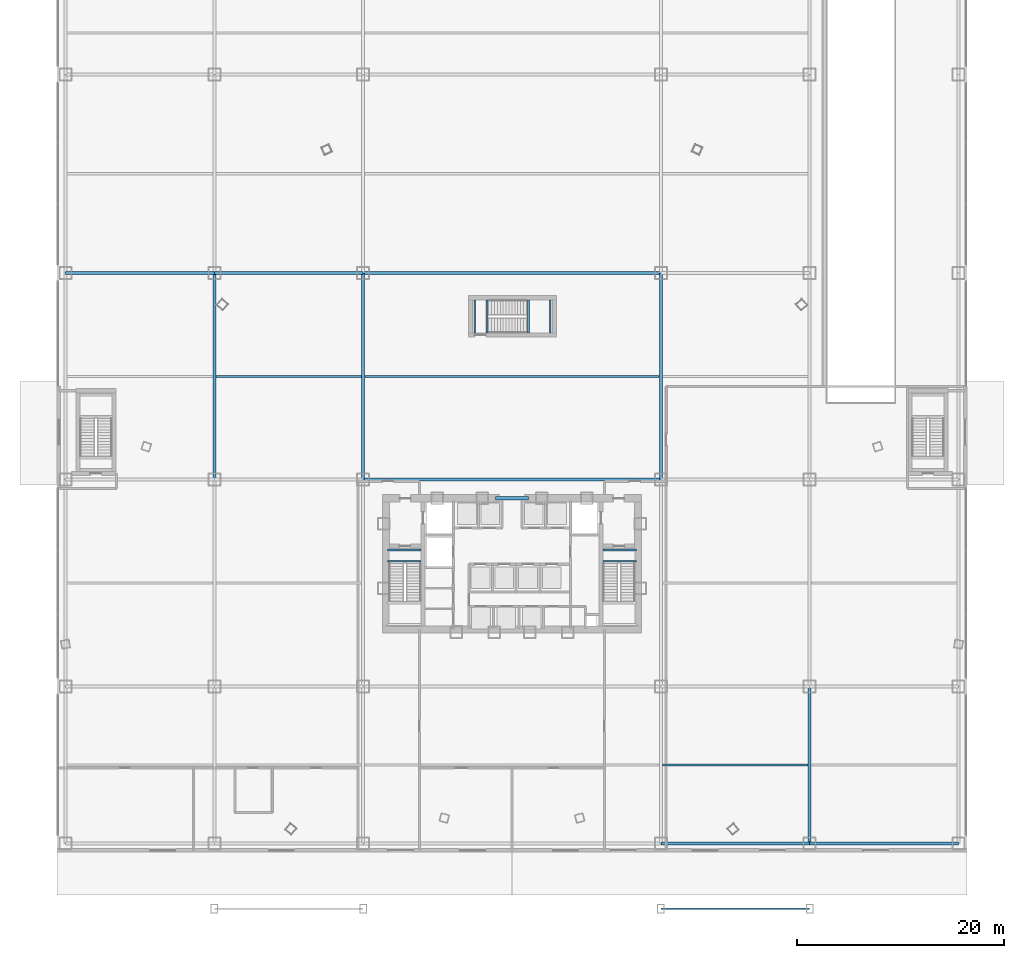
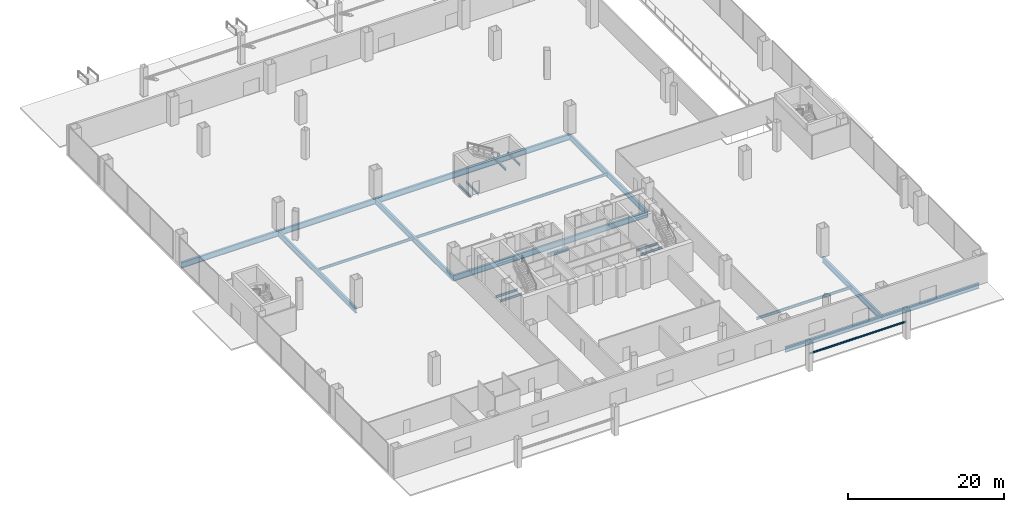
# One storey, part 16 of 58: 23 beams.
"""IFC4 building model written with IfcOpenShell, lengths in metres."""

from ifc_helpers import new_model, si_unit, direction, frame, origin, origin_2d, place, context, subcontext, project, spatial, i_section, extrude, source, transform, mapped, material, material_profile, profile_set, type_object, element, save


model = new_model("IFC4")

# Units and contexts
model_context = context("Model", 3, precision=1e-05, world=origin(), true_north=direction((0.0, 1.0)))
body_context = subcontext(model_context, "Body", "Model", "MODEL_VIEW")
ifc_project = project(units=[si_unit("LENGTHUNIT", "METRE"), si_unit("AREAUNIT", "SQUARE_METRE"), si_unit("VOLUMEUNIT", "CUBIC_METRE"), si_unit("PLANEANGLEUNIT", "RADIAN"), si_unit("MASSUNIT", "GRAM", prefix="KILO"), si_unit("THERMODYNAMICTEMPERATUREUNIT", "KELVIN"), si_unit("POWERUNIT", "WATT")], contexts=[model_context])

# Site, building, storey
site_placement = place(None, origin())
site = spatial("IfcSite", under=ifc_project, at=site_placement, CompositionType="ELEMENT")
building_placement = place(site_placement, origin())
building = spatial("IfcBuilding", under=site, at=building_placement, Name="Yunzhuo Pagoda Commons", CompositionType="ELEMENT")
storey_placement = place(building_placement, origin())
storey = spatial("IfcBuildingStorey", under=building, at=storey_placement, Name="L01", CompositionType="ELEMENT", Elevation=0.0)

# Beams
ifc_material_1 = material(Name="Structural steel Q355B", Category="steel")
ifc_material_profile_1 = material_profile(ifc_material_1, i_section(OverallWidth=0.175048828125, OverallDepth=0.35009765625, WebThickness=0.007080078125, FlangeThickness=0.010986328125, at=origin_2d()), Name="Structural steel Q355B")
ifc_profile_set_1 = profile_set([ifc_material_profile_1], Name="Structural steel Q355B")
beam_type_1 = type_object("IfcBeamType", Name="B-JS2 Joist HN 350x175x7x11", PredefinedType="JOIST", material=ifc_profile_set_1)
shared_shape_1 = source(origin(), body_context, "Body", "SweptSolid", [
    extrude(i_section(OverallWidth=0.175048828125, OverallDepth=0.35009765625, WebThickness=0.007080078125, FlangeThickness=0.010986328125, at=origin_2d()), origin(), (0.0, 0.0, 1.0), 3.25),
])
for number, where, z_axis, x_axis, name in (
    (1, (35.949951171875, 34.10009765625, -0.375), (1.0, 0.0, 0.0), (0.0, 1.0, 0.0), "L01 ST1 landing support beam 105A"),
    (2, (35.949951171875, 35.199951171875, -0.375), (1.0, 0.0, 0.0), (0.0, 1.0, 0.0), "L01 ST1 landing support beam 105B"),
    (3, (56.800048828125, 34.10009765625, -0.375), (1.0, 0.0, 0.0), (0.0, 1.0, 0.0), "L01 ST2 landing support beam 105A"),
    (4, (56.800048828125, 35.199951171875, -0.375), (1.0, 0.0, 0.0), (0.0, 1.0, 0.0), "L01 ST2 landing support beam 105B"),
):
    element("IfcBeam", number, at=place(storey_placement, frame(where, z_axis=z_axis, x_axis=x_axis)), inside=storey, type_object=beam_type_1, Name=name, PredefinedType="JOIST", context=body_context, shape_type="MappedRepresentation", body=[
        mapped(shared_shape_1, transform((0.0, 0.0, 0.0), scale=1.0)),
    ])
shared_shape_2 = source(origin(), body_context, "Body", "SweptSolid", [
    extrude(i_section(OverallWidth=0.175048828125, OverallDepth=0.35009765625, WebThickness=0.007080078125, FlangeThickness=0.010986328125, at=origin_2d()), origin(), (0.0, 0.0, 1.0), 3.199951171875),
])
for number, where, z_axis, x_axis, name in (
    (5, (49.590087890625, 56.199951171875, 2.02490234375), (0.0, 1.0, 0.0), (-1.0, 0.0, 0.0), "L01 ST3 landing support beam 3A"),
    (6, (51.699951171875, 56.199951171875, 2.02490234375), (0.0, 1.0, 0.0), (-1.0, 0.0, 0.0), "L01 ST3 landing support beam 3B"),
    (7, (44.39990234375, 56.199951171875, -0.375), (0.0, 1.0, 0.0), (-1.0, 0.0, 0.0), "L01 ST3 landing support beam 75A"),
    (8, (45.550048828125, 56.199951171875, -0.375), (0.0, 1.0, 0.0), (-1.0, 0.0, 0.0), "L01 ST3 landing support beam 75B"),
):
    element("IfcBeam", number, at=place(storey_placement, frame(where, z_axis=z_axis, x_axis=x_axis)), inside=storey, type_object=beam_type_1, Name=name, PredefinedType="JOIST", context=body_context, shape_type="MappedRepresentation", body=[
        mapped(shared_shape_2, transform((0.0, 0.0, 0.0), scale=1.0)),
    ])
ifc_material_2 = material(Name="Structural steel Q420B", Category="steel")
ifc_material_profile_2 = material_profile(ifc_material_2, i_section(OverallWidth=0.300048828125, OverallDepth=0.587890625, WebThickness=0.011962890625, FlangeThickness=0.02001953125, at=origin_2d()), Name="Structural steel Q420B")
ifc_profile_set_2 = profile_set([ifc_material_profile_2], Name="Structural steel Q420B")
beam_type_2 = type_object("IfcBeamType", Name="B-CPL Beam HM 588x300x12x20", PredefinedType="BEAM", material=ifc_profile_set_2)
shared_shape_3 = source(origin(), body_context, "Body", "SweptSolid", [
    extrude(i_section(OverallWidth=0.300048828125, OverallDepth=0.587890625, WebThickness=0.011962890625, FlangeThickness=0.02001953125, at=origin_2d()), origin(), (0.0, 0.0, 1.0), 3.2001953125),
])
beam_1_placement = place(storey_placement, frame((46.39990234375, 40.199951171875, -0.573974609375), z_axis=(1.0, 0.0, 0.0), x_axis=(0.0, 1.0, 0.0)))
element("IfcBeam", 9, at=beam_1_placement, inside=storey, type_object=beam_type_2, Name="L01 core coupling girder", PredefinedType="BEAM", context=body_context, shape_type="MappedRepresentation", body=[
    mapped(shared_shape_3, transform((0.0, 0.0, 0.0), scale=1.0)),
])
ifc_material_profile_3 = material_profile(ifc_material_1, i_section(OverallWidth=0.300048828125, OverallDepth=0.800048828125, WebThickness=0.013916015625, FlangeThickness=0.02587890625, at=origin_2d()), Name="Structural steel Q355B")
ifc_profile_set_3 = profile_set([ifc_material_profile_3], Name="Structural steel Q355B")
beam_type_3 = type_object("IfcBeamType", Name="B-PD2 Beam HN 800x300x14x26", PredefinedType="BEAM", material=ifc_profile_set_3)
shared_shape_4 = source(origin(), body_context, "Body", "SweptSolid", [
    extrude(i_section(OverallWidth=0.300048828125, OverallDepth=0.800048828125, WebThickness=0.013916015625, FlangeThickness=0.02587890625, at=origin_2d()), origin(), (0.0, 0.0, 1.0), 14.39990234375),
])
beam_2_placement = place(storey_placement, frame((76.800048828125, 6.800048828125, -0.679931640625), z_axis=(1.0, 0.0, 0.0), x_axis=(0.0, 1.0, 0.0)))
element("IfcBeam", 10, at=beam_2_placement, inside=storey, type_object=beam_type_3, Name="L01 podium girder EW 1.5", PredefinedType="BEAM", context=body_context, shape_type="MappedRepresentation", body=[
    mapped(shared_shape_4, transform((0.0, 0.0, 0.0), scale=1.0)),
])
shared_shape_5 = source(origin(), body_context, "Body", "SweptSolid", [
    extrude(i_section(OverallWidth=0.300048828125, OverallDepth=0.800048828125, WebThickness=0.013916015625, FlangeThickness=0.02587890625, at=origin_2d()), origin(), (0.0, 0.0, 1.0), 14.400146484375),
])
beam_3_placement = place(storey_placement, frame((62.39990234375, 6.800048828125, -0.679931640625), z_axis=(1.0, 0.0, 0.0), x_axis=(0.0, 1.0, 0.0)))
element("IfcBeam", 11, at=beam_3_placement, inside=storey, type_object=beam_type_3, Name="L01 podium girder EW 1.4", PredefinedType="BEAM", context=body_context, shape_type="MappedRepresentation", body=[
    mapped(shared_shape_5, transform((0.0, 0.0, 0.0), scale=1.0)),
])
ifc_material_profile_4 = material_profile(ifc_material_1, i_section(OverallWidth=0.300048828125, OverallDepth=0.89990234375, WebThickness=0.01611328125, FlangeThickness=0.028076171875, at=origin_2d()), Name="Structural steel Q355B")
ifc_profile_set_4 = profile_set([ifc_material_profile_4], Name="Structural steel Q355B")
beam_type_4 = type_object("IfcBeamType", Name="B-PD1 Beam HN 900x300x16x28", PredefinedType="BEAM", material=ifc_profile_set_4)
shared_shape_6 = source(origin(), body_context, "Body", "SweptSolid", [
    extrude(i_section(OverallWidth=0.300048828125, OverallDepth=0.89990234375, WebThickness=0.01611328125, FlangeThickness=0.028076171875, at=origin_2d()), origin(), (0.0, 0.0, 1.0), 14.39990234375),
])
beam_4_placement = place(storey_placement, frame((4.800048828125, 62.0, -0.729736328125), z_axis=(1.0, 0.0, 0.0), x_axis=(0.0, 1.0, 0.0)))
element("IfcBeam", 12, at=beam_4_placement, inside=storey, type_object=beam_type_4, Name="L01 podium girder EW 4.1", PredefinedType="BEAM", context=body_context, shape_type="MappedRepresentation", body=[
    mapped(shared_shape_6, transform((0.0, 0.0, 0.0), scale=1.0)),
])
shared_shape_7 = source(origin(), body_context, "Body", "SweptSolid", [
    extrude(i_section(OverallWidth=0.300048828125, OverallDepth=0.89990234375, WebThickness=0.01611328125, FlangeThickness=0.028076171875, at=origin_2d()), origin(), (0.0, 0.0, 1.0), 14.400146484375),
])
beam_5_placement = place(storey_placement, frame((19.199951171875, 62.0, -0.729736328125), z_axis=(1.0, 0.0, 0.0), x_axis=(0.0, 1.0, 0.0)))
element("IfcBeam", 13, at=beam_5_placement, inside=storey, type_object=beam_type_4, Name="L01 podium girder EW 4.2", PredefinedType="BEAM", context=body_context, shape_type="MappedRepresentation", body=[
    mapped(shared_shape_7, transform((0.0, 0.0, 0.0), scale=1.0)),
])
shared_shape_8 = source(origin(), body_context, "Body", "SweptSolid", [
    extrude(i_section(OverallWidth=0.300048828125, OverallDepth=0.89990234375, WebThickness=0.01611328125, FlangeThickness=0.028076171875, at=origin_2d()), origin(), (0.0, 0.0, 1.0), 28.7998046875),
])
for number, where, z_axis, x_axis, name in (
    (14, (33.60009765625, 42.0, -0.729736328125), (1.0, 0.0, 0.0), (0.0, 1.0, 0.0), "L01 podium girder EW 3.3"),
    (15, (33.60009765625, 62.0, -0.729736328125), (1.0, 0.0, 0.0), (0.0, 1.0, 0.0), "L01 podium girder EW 4.3"),
):
    element("IfcBeam", number, at=place(storey_placement, frame(where, z_axis=z_axis, x_axis=x_axis)), inside=storey, type_object=beam_type_4, Name=name, PredefinedType="BEAM", context=body_context, shape_type="MappedRepresentation", body=[
        mapped(shared_shape_8, transform((0.0, 0.0, 0.0), scale=1.0)),
    ])
ifc_material_profile_5 = material_profile(ifc_material_1, i_section(OverallWidth=0.199951171875, OverallDepth=0.39990234375, WebThickness=0.008056640625, FlangeThickness=0.012939453125, at=origin_2d()), Name="Structural steel Q355B")
ifc_profile_set_5 = profile_set([ifc_material_profile_5], Name="Structural steel Q355B")
beam_type_5 = type_object("IfcBeamType", Name="B-JS1 Joist HN 400x200x8x13", PredefinedType="JOIST", material=ifc_profile_set_5)
shared_shape_9 = source(origin(), body_context, "Body", "SweptSolid", [
    extrude(i_section(OverallWidth=0.199951171875, OverallDepth=0.39990234375, WebThickness=0.008056640625, FlangeThickness=0.012939453125, at=origin_2d()), origin(), (0.0, 0.0, 1.0), 14.08984375),
])
beam_6_placement = place(storey_placement, frame((19.355224609375, 52.0, -0.479736328125), z_axis=(1.0, 0.0, 0.0), x_axis=(0.0, 1.0, 0.0)))
element("IfcBeam", 16, at=beam_6_placement, inside=storey, type_object=beam_type_5, Name="L01 podium composite joist 2.3", PredefinedType="JOIST", context=body_context, shape_type="MappedRepresentation", body=[
    mapped(shared_shape_9, transform((0.0, 0.0, 0.0), scale=1.0)),
])
shared_shape_10 = source(origin(), body_context, "Body", "SweptSolid", [
    extrude(i_section(OverallWidth=0.300048828125, OverallDepth=0.89990234375, WebThickness=0.01611328125, FlangeThickness=0.028076171875, at=origin_2d()), origin(), (0.0, 0.0, 1.0), 15.199951171875),
])
beam_7_placement = place(storey_placement, frame((76.800048828125, 6.800048828125, -0.729736328125), z_axis=(0.0, 1.0, 0.0), x_axis=(-1.0, 0.0, 0.0)))
element("IfcBeam", 17, at=beam_7_placement, inside=storey, type_object=beam_type_4, Name="L01 podium girder NS 5.1", PredefinedType="BEAM", context=body_context, shape_type="MappedRepresentation", body=[
    mapped(shared_shape_10, transform((0.0, 0.0, 0.0), scale=1.0)),
])
shared_shape_11 = source(origin(), body_context, "Body", "SweptSolid", [
    extrude(i_section(OverallWidth=0.300048828125, OverallDepth=0.89990234375, WebThickness=0.01611328125, FlangeThickness=0.028076171875, at=origin_2d()), origin(), (0.0, 0.0, 1.0), 20.0),
])
for number, where, z_axis, x_axis, name in (
    (18, (19.199951171875, 42.0, -0.729736328125), (0.0, 1.0, 0.0), (-1.0, 0.0, 0.0), "L01 podium girder NS 2.3"),
    (19, (33.60009765625, 42.0, -0.729736328125), (0.0, 1.0, 0.0), (-1.0, 0.0, 0.0), "L01 podium girder NS 3.3"),
    (20, (62.39990234375, 42.0, -0.729736328125), (0.0, 1.0, 0.0), (-1.0, 0.0, 0.0), "L01 podium girder NS 4.3"),
):
    element("IfcBeam", number, at=place(storey_placement, frame(where, z_axis=z_axis, x_axis=x_axis)), inside=storey, type_object=beam_type_4, Name=name, PredefinedType="BEAM", context=body_context, shape_type="MappedRepresentation", body=[
        mapped(shared_shape_11, transform((0.0, 0.0, 0.0), scale=1.0)),
    ])
shared_shape_12 = source(origin(), body_context, "Body", "SweptSolid", [
    extrude(i_section(OverallWidth=0.199951171875, OverallDepth=0.39990234375, WebThickness=0.008056640625, FlangeThickness=0.012939453125, at=origin_2d()), origin(), (0.0, 0.0, 1.0), 28.490234375),
])
beam_8_placement = place(storey_placement, frame((33.7548828125, 52.0, -0.479736328125), z_axis=(1.0, 0.0, 0.0), x_axis=(0.0, 1.0, 0.0)))
element("IfcBeam", 21, at=beam_8_placement, inside=storey, type_object=beam_type_5, Name="L01 podium composite joist 3.3", PredefinedType="JOIST", context=body_context, shape_type="MappedRepresentation", body=[
    mapped(shared_shape_12, transform((0.0, 0.0, 0.0), scale=1.0)),
])
shared_shape_13 = source(origin(), body_context, "Body", "SweptSolid", [
    extrude(i_section(OverallWidth=0.199951171875, OverallDepth=0.39990234375, WebThickness=0.008056640625, FlangeThickness=0.012939453125, at=origin_2d()), origin(), (0.0, 0.0, 1.0), 14.09033203125),
])
beam_9_placement = place(storey_placement, frame((62.554931640625, 14.39990234375, -0.479736328125), z_axis=(1.0, 0.0, 0.0), x_axis=(0.0, 1.0, 0.0)))
element("IfcBeam", 22, at=beam_9_placement, inside=storey, type_object=beam_type_5, Name="L01 podium composite joist 4.1", PredefinedType="JOIST", context=body_context, shape_type="MappedRepresentation", body=[
    mapped(shared_shape_13, transform((0.0, 0.0, 0.0), scale=1.0)),
])
ifc_material_profile_6 = material_profile(ifc_material_1, i_section(OverallWidth=0.125, OverallDepth=0.25, WebThickness=0.006103515625, FlangeThickness=0.009033203125, at=origin_2d()), Name="Structural steel Q355B")
ifc_profile_set_6 = profile_set([ifc_material_profile_6], Name="Structural steel Q355B")
beam_type_6 = type_object("IfcBeamType", Name="B-LN1 Lintel HN 250x125x6x9", PredefinedType="LINTEL", material=ifc_profile_set_6)
shared_shape_14 = source(origin(), body_context, "Body", "SweptSolid", [
    extrude(i_section(OverallWidth=0.125, OverallDepth=0.25, WebThickness=0.006103515625, FlangeThickness=0.009033203125, at=origin_2d()), origin(), (0.0, 0.0, 1.0), 14.400146484375),
])
beam_10_placement = place(storey_placement, frame((62.39990234375, 0.5, 2.52490234375), z_axis=(1.0, 0.0, 0.0), x_axis=(0.0, 1.0, 0.0)))
element("IfcBeam", 23, at=beam_10_placement, inside=storey, type_object=beam_type_6, Name="South colonnade transom lintel S2", PredefinedType="LINTEL", context=body_context, shape_type="MappedRepresentation", body=[
    mapped(shared_shape_14, transform((0.0, 0.0, 0.0), scale=1.0)),
])

save(model, "model.ifc")
